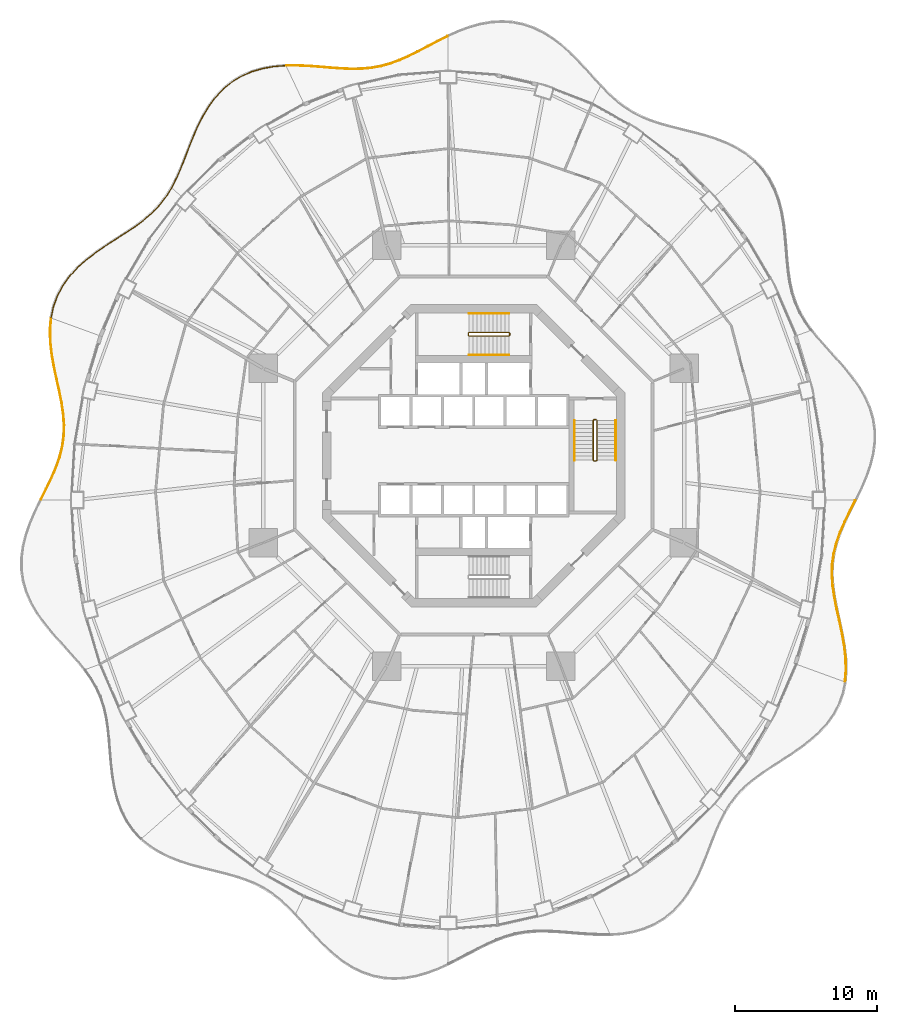
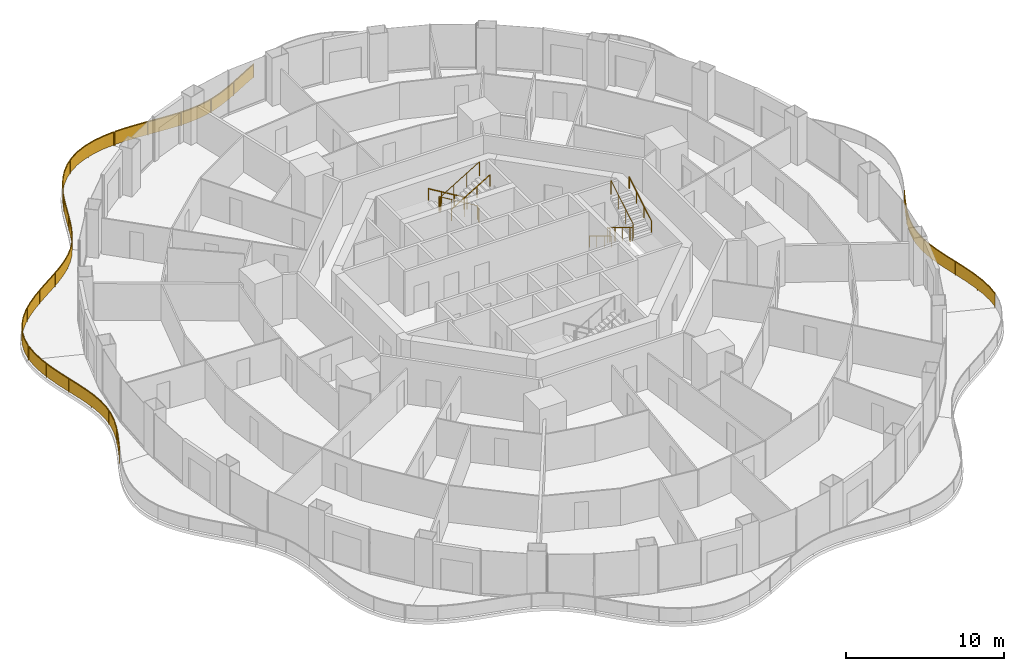
# One storey, part 19 of 20: 11 railings.
"""IFC4 building model written with IfcOpenShell, lengths in metres."""

from ifc_helpers import new_model, si_unit, direction, frame, origin, origin_2d, place, context, subcontext, project, spatial, polyline, rectangle, circle, outline, extrude, material, type_object, element, save


model = new_model("IFC4")

# Units and contexts
model_context = context("Model", 3, precision=1e-05, world=origin(), true_north=direction((0.0, 1.0)))
body_context = subcontext(model_context, "Body", "Model", "MODEL_VIEW")
ifc_project = project(units=[si_unit("LENGTHUNIT", "METRE"), si_unit("AREAUNIT", "SQUARE_METRE"), si_unit("VOLUMEUNIT", "CUBIC_METRE"), si_unit("PLANEANGLEUNIT", "RADIAN"), si_unit("MASSUNIT", "GRAM", prefix="KILO")], contexts=[model_context])

# Site, building, storey
site_placement = place(None, origin())
site = spatial("IfcSite", under=ifc_project, at=site_placement, CompositionType="ELEMENT")
building_placement = place(site_placement, origin())
building = spatial("IfcBuilding", under=site, at=building_placement, Name="Nagisa Residences", CompositionType="ELEMENT")
storey_placement = place(building_placement, frame((0.0, 0.0, 141.800048828125)))
storey = spatial("IfcBuildingStorey", under=building, at=storey_placement, Name="L35", CompositionType="ELEMENT", Elevation=141.800048828125)

# Railings
ifc_material_1 = material(Name="Stainless steel 316", Category="steel")
railing_type_1 = type_object("IfcRailingType", Name="BALCONY GUARD 1100", PredefinedType="BALUSTRADE", material=ifc_material_1)
railing_1_placement = place(storey_placement, frame((-1.833984375, 29.4462890625, 0.0)))
element("IfcRailing", 1, at=railing_1_placement, inside=storey, type_object=railing_type_1, Name="guard:L35:bal04-0", PredefinedType="BALUSTRADE", context=body_context, shape_type="SweptSolid", body=[
    extrude(outline(polyline([(-0.662353515625, -0.35986328125), (0.01123046875, -0.0224609375), (-0.01123046875, 0.0224609375), (-0.685302734375, -0.3154296875), (-1.3828125, -0.680908203125), (-2.06201171875, -1.037353515625), (-2.72705078125, -1.367431640625), (-3.382568359375, -1.6572265625), (-4.017578125, -1.8935546875), (-4.673828125, -2.0751953125), (-5.3408203125, -2.197021484375), (-6.0244140625, -2.26171875), (-6.728759765625, -2.275390625), (-7.439697265625, -2.243896484375), (-8.191650390625, -2.1904296875), (-8.965087890625, -2.125732421875), (-9.755615234375, -2.067138671875), (-10.55615234375, -2.0322265625), (-11.31103515625, -2.03515625), (-11.31103515625, -2.0849609375), (-10.55712890625, -2.08251953125), (-9.758544921875, -2.116943359375), (-8.968994140625, -2.175537109375), (-8.195556640625, -2.240234375), (-7.442626953125, -2.293701171875), (-6.729248046875, -2.32568359375), (-6.021484375, -2.3115234375), (-5.333984375, -2.246826171875), (-4.66259765625, -2.1240234375), (-4.001953125, -1.94140625), (-3.363525390625, -1.70361328125), (-2.70556640625, -1.412841796875), (-2.0390625, -1.081787109375), (-1.359375, -0.725341796875), (-0.662353515625, -0.35986328125)])), frame((0.0, 0.0, 1.050048828125)), (0.0, 0.0, 1.0), 0.050048828125),
    extrude(outline(polyline([(-0.670654296875, -0.343994140625), (0.003173828125, -0.00634765625), (-0.003173828125, 0.00634765625), (-0.677001953125, -0.331298828125), (-1.374267578125, -0.697021484375), (-2.0537109375, -1.05322265625), (-2.71923828125, -1.3837890625), (-3.375732421875, -1.673828125), (-4.011962890625, -1.910888671875), (-4.669677734375, -2.0927734375), (-5.33837890625, -2.215087890625), (-6.0234375, -2.279541015625), (-6.72900390625, -2.29345703125), (-7.440673828125, -2.26171875), (-8.193115234375, -2.208251953125), (-8.966552734375, -2.1435546875), (-9.756591796875, -2.0849609375), (-10.556396484375, -2.05029296875), (-11.31103515625, -2.052978515625), (-11.31103515625, -2.067138671875), (-10.556884765625, -2.064453125), (-9.757568359375, -2.09912109375), (-8.967529296875, -2.15771484375), (-8.194091796875, -2.222412109375), (-7.441650390625, -2.27587890625), (-6.72900390625, -2.3076171875), (-6.0224609375, -2.293701171875), (-5.33642578125, -2.228759765625), (-4.666748046875, -2.1064453125), (-4.007568359375, -1.924072265625), (-3.370361328125, -1.68701171875), (-2.71337890625, -1.396484375), (-2.04736328125, -1.06591796875), (-1.367919921875, -0.709228515625), (-0.670654296875, -0.343994140625)])), frame((0.0, 0.0, 0.06005859375)), (0.0, 0.0, 1.0), 0.989990234375),
    extrude(rectangle(XDim=0.0400390625, YDim=0.0400390625, at=origin_2d()), origin(), (0.0, 0.0, 1.0), 1.050048828125),
    extrude(rectangle(XDim=0.0400390625, YDim=0.0400390625, at=origin_2d()), frame((-2.096435546875, -1.082275390625, 0.0)), (0.0, 0.0, 1.0), 1.050048828125),
    extrude(rectangle(XDim=0.0400390625, YDim=0.0400390625, at=origin_2d()), frame((-4.27001953125, -1.989501953125, 0.0)), (0.0, 0.0, 1.0), 1.050048828125),
    extrude(rectangle(XDim=0.0400390625, YDim=0.0400390625, at=origin_2d()), frame((-6.600341796875, -2.298095703125, 0.0)), (0.0, 0.0, 1.0), 1.050048828125),
    extrude(rectangle(XDim=0.0400390625, YDim=0.0400390625, at=origin_2d()), frame((-8.95458984375, -2.151611328125, 0.0)), (0.0, 0.0, 1.0), 1.050048828125),
    extrude(rectangle(XDim=0.0400390625, YDim=0.0400390625, at=origin_2d()), frame((-11.31103515625, -2.06005859375, 0.0)), (0.0, 0.0, 1.0), 1.050048828125),
])
railing_2_placement = place(storey_placement, frame((-13.22216796875, 27.384033203125, 0.0)))
element("IfcRailing", 2, at=railing_2_placement, inside=storey, type_object=railing_type_1, Name="guard:L35:bal05-0", PredefinedType="BALUSTRADE", context=body_context, shape_type="SweptSolid", body=[
    extrude(outline(polyline([(-0.772216796875, -0.08349609375), (0.001953125, -0.02490234375), (-0.001953125, 0.02490234375), (-0.778564453125, -0.03369140625), (-1.5810546875, -0.173095703125), (-2.350830078125, -0.396484375), (-3.07666015625, -0.710693359375), (-3.74755859375, -1.114990234375), (-4.3486328125, -1.600341796875), (-4.897705078125, -2.174072265625), (-5.3837890625, -2.81689453125), (-5.809814453125, -3.51416015625), (-6.18359375, -4.25), (-6.5029296875, -4.996337890625), (-6.804931640625, -5.7578125), (-7.09228515625, -6.508544921875), (-7.380615234375, -7.234375), (-7.684326171875, -7.92529296875), (-7.997314453125, -8.536376953125), (-7.952880859375, -8.559326171875), (-7.638916015625, -7.94677734375), (-7.334228515625, -7.25390625), (-7.0458984375, -6.526611328125), (-6.758056640625, -5.77587890625), (-6.45654296875, -5.015380859375), (-6.13818359375, -4.27099609375), (-5.765869140625, -3.53857421875), (-5.34228515625, -2.84521484375), (-4.859619140625, -2.206787109375), (-4.314453125, -1.637451171875), (-3.71875, -1.156005859375), (-3.0537109375, -0.755126953125), (-2.333740234375, -0.44384765625), (-1.56982421875, -0.221923828125), (-0.772216796875, -0.08349609375)])), frame((0.0, 0.0, 1.050048828125)), (0.0, 0.0, 1.0), 0.050048828125),
    extrude(outline(polyline([(-0.7744140625, -0.0654296875), (0.00048828125, -0.007080078125), (-0.00048828125, 0.007080078125), (-0.7763671875, -0.0517578125), (-1.576904296875, -0.190673828125), (-2.3447265625, -0.41357421875), (-3.068359375, -0.7265625), (-3.737060546875, -1.129638671875), (-4.336181640625, -1.61376953125), (-4.884033203125, -2.185791015625), (-5.368896484375, -2.8271484375), (-5.7939453125, -3.52294921875), (-6.167236328125, -4.257568359375), (-6.486328125, -5.003173828125), (-6.7880859375, -5.764404296875), (-7.07568359375, -6.51513671875), (-7.36376953125, -7.241455078125), (-7.66796875, -7.93310546875), (-7.9814453125, -8.544677734375), (-7.96875, -8.551025390625), (-7.6552734375, -7.93896484375), (-7.35107421875, -7.246826171875), (-7.0625, -6.52001953125), (-6.77490234375, -5.769287109375), (-6.47314453125, -5.008544921875), (-6.154541015625, -4.263427734375), (-5.78173828125, -3.52978515625), (-5.357177734375, -2.8349609375), (-4.873291015625, -2.195068359375), (-4.326904296875, -1.6240234375), (-3.729248046875, -1.141357421875), (-3.06201171875, -0.7392578125), (-2.33984375, -0.4267578125), (-1.573974609375, -0.204345703125), (-0.7744140625, -0.0654296875)])), frame((0.0, 0.0, 0.06005859375)), (0.0, 0.0, 1.0), 0.989990234375),
    extrude(rectangle(XDim=0.0400390625, YDim=0.0400390625, at=origin_2d()), origin(), (0.0, 0.0, 1.0), 1.050048828125),
    extrude(rectangle(XDim=0.0400390625, YDim=0.0400390625, at=origin_2d()), frame((-2.068115234375, -0.340576171875, 0.0)), (0.0, 0.0, 1.0), 1.050048828125),
    extrude(rectangle(XDim=0.0400390625, YDim=0.0400390625, at=origin_2d()), frame((-3.92724609375, -1.292236328125, 0.0)), (0.0, 0.0, 1.0), 1.050048828125),
    extrude(rectangle(XDim=0.0400390625, YDim=0.0400390625, at=origin_2d()), frame((-5.356201171875, -2.822021484375, 0.0)), (0.0, 0.0, 1.0), 1.050048828125),
    extrude(rectangle(XDim=0.0400390625, YDim=0.0400390625, at=origin_2d()), frame((-6.339111328125, -4.677001953125, 0.0)), (0.0, 0.0, 1.0), 1.050048828125),
    extrude(rectangle(XDim=0.0400390625, YDim=0.0400390625, at=origin_2d()), frame((-7.1142578125, -6.63134765625, 0.0)), (0.0, 0.0, 1.0), 1.050048828125),
    extrude(rectangle(XDim=0.0400390625, YDim=0.0400390625, at=origin_2d()), frame((-7.97509765625, -8.5478515625, 0.0)), (0.0, 0.0, 1.0), 1.050048828125),
])
railing_3_placement = place(storey_placement, frame((-21.23046875, 18.77392578125, 0.0)))
element("IfcRailing", 3, at=railing_3_placement, inside=storey, type_object=railing_type_1, Name="guard:L35:bal06-0", PredefinedType="BALUSTRADE", context=body_context, shape_type="SweptSolid", body=[
    extrude(outline(polyline([(-0.3515625, -0.610595703125), (0.021240234375, -0.01318359375), (-0.021240234375, 0.01318359375), (-0.392578125, -0.581787109375), (-0.84130859375, -1.161376953125), (-1.349853515625, -1.695068359375), (-1.919189453125, -2.190185546875), (-2.5439453125, -2.657958984375), (-3.2060546875, -3.098388671875), (-3.90771484375, -3.550048828125), (-4.622314453125, -4.013671875), (-5.3291015625, -4.501708984375), (-6.0068359375, -5.025146484375), (-6.628173828125, -5.57861328125), (-7.1865234375, -6.193115234375), (-7.658935546875, -6.85693359375), (-8.034423828125, -7.569091796875), (-8.30615234375, -8.324462890625), (-8.462646484375, -9.06982421875), (-8.413818359375, -9.080078125), (-8.2578125, -8.338134765625), (-7.988525390625, -7.589111328125), (-7.616455078125, -6.88330078125), (-7.1474609375, -6.224365234375), (-6.593017578125, -5.6142578125), (-5.97509765625, -5.063720703125), (-5.2998046875, -4.542236328125), (-4.594482421875, -4.05517578125), (-3.88037109375, -3.592041015625), (-3.1787109375, -3.140380859375), (-2.51513671875, -2.698974609375), (-1.887939453125, -2.229248046875), (-1.315185546875, -1.731201171875), (-0.80322265625, -1.194091796875), (-0.3515625, -0.610595703125)])), frame((0.0, 0.0, 1.050048828125)), (0.0, 0.0, 1.0), 0.050048828125),
    extrude(outline(polyline([(-0.3662109375, -0.60009765625), (0.005859375, -0.003662109375), (-0.005859375, 0.003662109375), (-0.3779296875, -0.59228515625), (-0.82763671875, -1.173095703125), (-1.33740234375, -1.7080078125), (-1.907958984375, -2.204345703125), (-2.53369140625, -2.6728515625), (-3.1962890625, -3.113525390625), (-3.89794921875, -3.565185546875), (-4.6123046875, -4.028564453125), (-5.318603515625, -4.516357421875), (-5.995361328125, -5.0390625), (-6.615478515625, -5.591552734375), (-7.17236328125, -6.204345703125), (-7.6435546875, -6.866455078125), (-8.017822265625, -7.576171875), (-8.288818359375, -8.329345703125), (-8.445068359375, -9.073486328125), (-8.431396484375, -9.076416015625), (-8.275146484375, -8.333251953125), (-8.005126953125, -7.58203125), (-7.6318359375, -6.873779296875), (-7.16162109375, -6.213134765625), (-6.605712890625, -5.601318359375), (-5.986572265625, -5.0498046875), (-5.310302734375, -4.527587890625), (-4.6044921875, -4.040283203125), (-3.89013671875, -3.576904296875), (-3.1884765625, -3.125244140625), (-2.525390625, -2.68408203125), (-1.899169921875, -2.215087890625), (-1.32763671875, -1.71826171875), (-0.81689453125, -1.182373046875), (-0.3662109375, -0.60009765625)])), frame((0.0, 0.0, 0.06005859375)), (0.0, 0.0, 1.0), 0.989990234375),
    extrude(rectangle(XDim=0.0400390625, YDim=0.0400390625, at=origin_2d()), origin(), (0.0, 0.0, 1.0), 1.050048828125),
    extrude(rectangle(XDim=0.0400390625, YDim=0.0400390625, at=origin_2d()), frame((-1.295166015625, -1.673828125, 0.0)), (0.0, 0.0, 1.0), 1.050048828125),
    extrude(rectangle(XDim=0.0400390625, YDim=0.0400390625, at=origin_2d()), frame((-2.97119140625, -2.97216796875, 0.0)), (0.0, 0.0, 1.0), 1.050048828125),
    extrude(rectangle(XDim=0.0400390625, YDim=0.0400390625, at=origin_2d()), frame((-4.749755859375, -4.132080078125, 0.0)), (0.0, 0.0, 1.0), 1.050048828125),
    extrude(rectangle(XDim=0.0400390625, YDim=0.0400390625, at=origin_2d()), frame((-6.426025390625, -5.431884765625, 0.0)), (0.0, 0.0, 1.0), 1.050048828125),
    extrude(rectangle(XDim=0.0400390625, YDim=0.0400390625, at=origin_2d()), frame((-7.748291015625, -7.079833984375, 0.0)), (0.0, 0.0, 1.0), 1.050048828125),
    extrude(rectangle(XDim=0.0400390625, YDim=0.0400390625, at=origin_2d()), frame((-8.438232421875, -9.074951171875, 0.0)), (0.0, 0.0, 1.0), 1.050048828125),
])
railing_4_placement = place(storey_placement, frame((-29.67919921875, 9.622314453125, 0.0)))
element("IfcRailing", 4, at=railing_4_placement, inside=storey, type_object=railing_type_1, Name="guard:L35:bal07-0", PredefinedType="BALUSTRADE", context=body_context, shape_type="SweptSolid", body=[
    extrude(outline(polyline([(-0.03857421875, -0.7978515625), (0.02490234375, -0.001953125), (-0.02490234375, 0.001953125), (-0.0888671875, -0.79638671875), (-0.064453125, -1.660400390625), (0.035400390625, -2.5322265625), (0.1884765625, -3.401611328125), (0.37060546875, -4.26025390625), (0.55859375, -5.087890625), (0.72119140625, -5.90771484375), (0.839111328125, -6.705322265625), (0.893798828125, -7.481201171875), (0.872802734375, -8.2392578125), (0.7705078125, -8.971435546875), (0.584716796875, -9.711181640625), (0.323486328125, -10.4521484375), (0.00048828125, -11.199951171875), (-0.36572265625, -11.960205078125), (-0.733642578125, -12.69482421875), (-0.688720703125, -12.71728515625), (-0.32080078125, -11.982177734375), (0.0458984375, -11.220947265625), (0.369873046875, -10.47021484375), (0.632568359375, -9.725830078125), (0.81982421875, -8.981201171875), (0.922607421875, -8.24365234375), (0.944091796875, -7.480224609375), (0.888916015625, -6.699951171875), (0.7705078125, -5.8994140625), (0.607421875, -5.07763671875), (0.41943359375, -4.24951171875), (0.23779296875, -3.391845703125), (0.084716796875, -2.52490234375), (-0.0146484375, -1.656982421875), (-0.03857421875, -0.7978515625)])), frame((0.0, 0.0, 1.050048828125)), (0.0, 0.0, 1.0), 0.050048828125),
    extrude(outline(polyline([(-0.056640625, -0.79736328125), (0.007080078125, -0.00048828125), (-0.007080078125, 0.00048828125), (-0.07080078125, -0.796875), (-0.046630859375, -1.6591796875), (0.05322265625, -2.529541015625), (0.206298828125, -3.39794921875), (0.38818359375, -4.25634765625), (0.576171875, -5.084228515625), (0.739013671875, -5.90478515625), (0.85693359375, -6.703369140625), (0.911865234375, -7.48095703125), (0.890625, -8.240966796875), (0.788330078125, -8.97509765625), (0.60205078125, -9.716552734375), (0.340087890625, -10.458740234375), (0.016845703125, -11.20751953125), (-0.349609375, -11.968017578125), (-0.717529296875, -12.702880859375), (-0.704833984375, -12.709228515625), (-0.3369140625, -11.974365234375), (0.029541015625, -11.21337890625), (0.353271484375, -10.463623046875), (0.615234375, -9.720458984375), (0.802001953125, -8.9775390625), (0.90478515625, -8.241943359375), (0.926025390625, -7.48046875), (0.87109375, -6.701904296875), (0.752685546875, -5.90234375), (0.58984375, -5.081298828125), (0.40185546875, -4.25341796875), (0.219970703125, -3.3955078125), (0.06689453125, -2.527587890625), (-0.032470703125, -1.658203125), (-0.056640625, -0.79736328125)])), frame((0.0, 0.0, 0.06005859375)), (0.0, 0.0, 1.0), 0.989990234375),
    extrude(rectangle(XDim=0.0400390625, YDim=0.0400390625, at=origin_2d()), origin(), (0.0, 0.0, 1.0), 1.050048828125),
    extrude(rectangle(XDim=0.0400390625, YDim=0.0400390625, at=origin_2d()), frame((0.02001953125, -2.17822265625, 0.0)), (0.0, 0.0, 1.0), 1.050048828125),
    extrude(rectangle(XDim=0.0400390625, YDim=0.0400390625, at=origin_2d()), frame((0.4111328125, -4.326416015625, 0.0)), (0.0, 0.0, 1.0), 1.050048828125),
    extrude(rectangle(XDim=0.0400390625, YDim=0.0400390625, at=origin_2d()), frame((0.82958984375, -6.469482421875, 0.0)), (0.0, 0.0, 1.0), 1.050048828125),
    extrude(rectangle(XDim=0.0400390625, YDim=0.0400390625, at=origin_2d()), frame((0.84130859375, -8.6455078125, 0.0)), (0.0, 0.0, 1.0), 1.050048828125),
    extrude(rectangle(XDim=0.0400390625, YDim=0.0400390625, at=origin_2d()), frame((0.228759765625, -10.734619140625, 0.0)), (0.0, 0.0, 1.0), 1.050048828125),
    extrude(rectangle(XDim=0.0400390625, YDim=0.0400390625, at=origin_2d()), frame((-0.711181640625, -12.7060546875, 0.0)), (0.0, 0.0, 1.0), 1.050048828125),
])
railing_5_placement = place(storey_placement, frame((26.079345703125, -15.857666015625, 0.0)))
element("IfcRailing", 5, at=railing_5_placement, inside=storey, type_object=railing_type_1, Name="guard:L35:bal15-0", PredefinedType="BALUSTRADE", context=body_context, shape_type="SweptSolid", body=[
    extrude(outline(polyline([(0.038330078125, 0.7978515625), (-0.02490234375, 0.001953125), (0.02490234375, -0.001953125), (0.088623046875, 0.79638671875), (0.064208984375, 1.66015625), (-0.03564453125, 2.531982421875), (-0.188720703125, 3.401611328125), (-0.370849609375, 4.26025390625), (-0.558837890625, 5.087890625), (-0.721435546875, 5.90771484375), (-0.83935546875, 6.705322265625), (-0.89404296875, 7.481201171875), (-0.873046875, 8.2392578125), (-0.770751953125, 8.971435546875), (-0.5849609375, 9.711181640625), (-0.32373046875, 10.4521484375), (-0.00048828125, 11.199951171875), (0.36572265625, 11.960205078125), (0.733642578125, 12.69482421875), (0.688720703125, 12.71728515625), (0.32080078125, 11.982177734375), (-0.0458984375, 11.220947265625), (-0.3701171875, 10.47021484375), (-0.6328125, 9.725830078125), (-0.820068359375, 8.981201171875), (-0.9228515625, 8.24365234375), (-0.9443359375, 7.480224609375), (-0.88916015625, 6.699951171875), (-0.770751953125, 5.8994140625), (-0.607666015625, 5.07763671875), (-0.419677734375, 4.24951171875), (-0.238037109375, 3.391845703125), (-0.0849609375, 2.524658203125), (0.014404296875, 1.65673828125), (0.038330078125, 0.7978515625)])), frame((0.0, 0.0, 1.050048828125)), (0.0, 0.0, 1.0), 0.050048828125),
    extrude(outline(polyline([(0.056396484375, 0.79736328125), (-0.007080078125, 0.00048828125), (0.007080078125, -0.00048828125), (0.070556640625, 0.796875), (0.04638671875, 1.658935546875), (-0.053466796875, 2.529296875), (-0.20654296875, 3.39794921875), (-0.388427734375, 4.25634765625), (-0.576416015625, 5.084228515625), (-0.7392578125, 5.90478515625), (-0.857177734375, 6.703369140625), (-0.912109375, 7.48095703125), (-0.890869140625, 8.240966796875), (-0.78857421875, 8.97509765625), (-0.602294921875, 9.716552734375), (-0.34033203125, 10.458740234375), (-0.016845703125, 11.20751953125), (0.349609375, 11.968017578125), (0.717529296875, 12.702880859375), (0.704833984375, 12.709228515625), (0.3369140625, 11.974365234375), (-0.029541015625, 11.21337890625), (-0.353515625, 10.463623046875), (-0.615478515625, 9.720458984375), (-0.80224609375, 8.9775390625), (-0.905029296875, 8.241943359375), (-0.92626953125, 7.48046875), (-0.871337890625, 6.701904296875), (-0.7529296875, 5.90234375), (-0.590087890625, 5.081298828125), (-0.402099609375, 4.25341796875), (-0.22021484375, 3.3955078125), (-0.067138671875, 2.52734375), (0.0322265625, 1.657958984375), (0.056396484375, 0.79736328125)])), frame((0.0, 0.0, 0.06005859375)), (0.0, 0.0, 1.0), 0.989990234375),
    extrude(rectangle(XDim=0.0400390625, YDim=0.0400390625, at=origin_2d()), origin(), (0.0, 0.0, 1.0), 1.050048828125),
    extrude(rectangle(XDim=0.0400390625, YDim=0.0400390625, at=origin_2d()), frame((-0.020263671875, 2.178466796875, 0.0)), (0.0, 0.0, 1.0), 1.050048828125),
    extrude(rectangle(XDim=0.0400390625, YDim=0.0400390625, at=origin_2d()), frame((-0.41162109375, 4.326416015625, 0.0)), (0.0, 0.0, 1.0), 1.050048828125),
    extrude(rectangle(XDim=0.0400390625, YDim=0.0400390625, at=origin_2d()), frame((-0.829833984375, 6.469482421875, 0.0)), (0.0, 0.0, 1.0), 1.050048828125),
    extrude(rectangle(XDim=0.0400390625, YDim=0.0400390625, at=origin_2d()), frame((-0.841552734375, 8.6455078125, 0.0)), (0.0, 0.0, 1.0), 1.050048828125),
    extrude(rectangle(XDim=0.0400390625, YDim=0.0400390625, at=origin_2d()), frame((-0.228759765625, 10.734619140625, 0.0)), (0.0, 0.0, 1.0), 1.050048828125),
    extrude(rectangle(XDim=0.0400390625, YDim=0.0400390625, at=origin_2d()), frame((0.711181640625, 12.7060546875, 0.0)), (0.0, 0.0, 1.0), 1.050048828125),
])
ifc_material_2 = material(Name="Stainless steel", Category="steel")
railing_type_2 = type_object("IfcRailingType", Name="Stair guard 1100", PredefinedType="GUARDRAIL", material=ifc_material_2)
railing_6_placement = place(storey_placement, frame((8.599609375, 2.52490234375, 0.0)))
element("IfcRailing", 6, at=railing_6_placement, inside=storey, type_object=railing_type_2, Name="L35 ST-E stair guard 1", PredefinedType="GUARDRAIL", context=body_context, shape_type="SweptSolid", body=[
    extrude(circle(Radius=0.02392578125, at=origin_2d()), frame((0.0, 0.0, 1.076171875), z_axis=(-1.0, 0.0, 0.0), x_axis=(0.0, -1.0, 0.0)), (0.0, 0.0, 1.0), 0.14990234375),
    extrude(circle(Radius=0.02392578125, at=origin_2d()), frame((-0.14990234375, 0.0, 1.076171875), z_axis=(-0.27434429532, -0.273006030465, 0.922064485248), x_axis=(0.705375805398, -0.708833529934, 0.0)), (0.0, 0.0, 1.0), 0.182373046875),
    extrude(circle(Radius=0.02392578125, at=origin_2d()), frame((-0.199951171875, -0.0498046875, 1.244140625), z_axis=(0.0, -0.857275202839, 0.514858452973), x_axis=(1.0, 0.0, 0.0)), (0.0, 0.0, 1.0), 3.26611328125),
    extrude(circle(Radius=0.02392578125, at=origin_2d()), frame((-0.199951171875, -2.849853515625, 2.92578125), z_axis=(0.707106781187, -0.707106781187, 0.0), x_axis=(0.707106781187, 0.707106781187, 0.0)), (0.0, 0.0, 1.0), 0.07080078125),
    extrude(circle(Radius=0.02392578125, at=origin_2d()), frame((-0.14990234375, -2.89990234375, 2.92578125), z_axis=(1.0, 0.0, 0.0), x_axis=(0.0, 1.0, 0.0)), (0.0, 0.0, 1.0), 0.14990234375),
    extrude(circle(Radius=0.02392578125, at=origin_2d()), frame((0.0, -2.89990234375, 2.92578125), z_axis=(0.274243871929, 0.274243871929, 0.92172696468), x_axis=(-0.707106781187, 0.707106781187, 0.0)), (0.0, 0.0, 1.0), 0.1826171875),
    extrude(circle(Radius=0.02392578125, at=origin_2d()), frame((0.050048828125, -2.849853515625, 3.09423828125), z_axis=(0.0, 0.857242210791, 0.514913383045), x_axis=(-1.0, 0.0, 0.0)), (0.0, 0.0, 1.0), 3.266357421875),
    extrude(circle(Radius=0.02099609375, at=origin_2d()), origin(), (0.0, 0.0, 1.0), 1.052001953125),
    extrude(circle(Radius=0.02099609375, at=origin_2d()), frame((-0.14990234375, 0.0, 0.0)), (0.0, 0.0, 1.0), 1.052001953125),
    extrude(circle(Radius=0.02099609375, at=origin_2d()), frame((-0.199951171875, -0.0498046875, 0.168212890625)), (0.0, 0.0, 1.0), 1.052001953125),
    extrude(circle(Radius=0.02099609375, at=origin_2d()), frame((-0.199951171875, -0.983154296875, 0.728759765625)), (0.0, 0.0, 1.0), 1.052001953125),
    extrude(circle(Radius=0.02099609375, at=origin_2d()), frame((-0.199951171875, -1.91650390625, 1.289306640625)), (0.0, 0.0, 1.0), 1.052001953125),
    extrude(circle(Radius=0.02099609375, at=origin_2d()), frame((-0.199951171875, -2.849853515625, 1.849853515625)), (0.0, 0.0, 1.0), 1.052001953125),
    extrude(circle(Radius=0.02099609375, at=origin_2d()), frame((-0.14990234375, -2.89990234375, 1.849853515625)), (0.0, 0.0, 1.0), 1.052001953125),
    extrude(circle(Radius=0.02099609375, at=origin_2d()), frame((0.0, -2.89990234375, 1.849853515625)), (0.0, 0.0, 1.0), 1.052001953125),
    extrude(circle(Radius=0.02099609375, at=origin_2d()), frame((0.050048828125, -2.849853515625, 2.01806640625)), (0.0, 0.0, 1.0), 1.052001953125),
    extrude(circle(Radius=0.02099609375, at=origin_2d()), frame((0.050048828125, -1.91650390625, 2.57861328125)), (0.0, 0.0, 1.0), 1.052001953125),
    extrude(circle(Radius=0.02099609375, at=origin_2d()), frame((0.050048828125, -0.983154296875, 3.139404296875)), (0.0, 0.0, 1.0), 1.052001953125),
    extrude(circle(Radius=0.02099609375, at=origin_2d()), frame((0.050048828125, -0.0498046875, 3.699951171875)), (0.0, 0.0, 1.0), 1.052001953125),
])
railing_7_placement = place(storey_placement, frame((2.52490234375, 8.44970703125, 0.0)))
element("IfcRailing", 7, at=railing_7_placement, inside=storey, type_object=railing_type_2, Name="L35 ST-N stair guard 1", PredefinedType="GUARDRAIL", context=body_context, shape_type="SweptSolid", body=[
    extrude(circle(Radius=0.02392578125, at=origin_2d()), frame((0.0, 0.0, 1.076171875), z_axis=(0.0, 1.0, 0.0), x_axis=(-1.0, 0.0, 0.0)), (0.0, 0.0, 1.0), 0.14990234375),
    extrude(circle(Radius=0.02392578125, at=origin_2d()), frame((0.0, 0.14990234375, 1.076171875), z_axis=(-0.273006030465, 0.27434429532, 0.922064485248), x_axis=(-0.708833529934, -0.705375805398, 0.0)), (0.0, 0.0, 1.0), 0.182373046875),
    extrude(circle(Radius=0.02392578125, at=origin_2d()), frame((-0.0498046875, 0.199951171875, 1.244140625), z_axis=(-0.857275202839, 0.0, 0.514858452973), x_axis=(0.0, -1.0, 0.0)), (0.0, 0.0, 1.0), 3.26611328125),
    extrude(circle(Radius=0.02392578125, at=origin_2d()), frame((-2.849853515625, 0.199951171875, 2.92578125), z_axis=(-0.707106781187, -0.707106781187, 0.0), x_axis=(0.707106781187, -0.707106781187, 0.0)), (0.0, 0.0, 1.0), 0.07080078125),
    extrude(circle(Radius=0.02392578125, at=origin_2d()), frame((-2.89990234375, 0.14990234375, 2.92578125), z_axis=(0.0, -1.0, 0.0), x_axis=(1.0, 0.0, 0.0)), (0.0, 0.0, 1.0), 0.14990234375),
    extrude(circle(Radius=0.02392578125, at=origin_2d()), frame((-2.89990234375, 0.0, 2.92578125), z_axis=(0.274243871929, -0.274243871929, 0.92172696468), x_axis=(0.707106781187, 0.707106781187, 0.0)), (0.0, 0.0, 1.0), 0.1826171875),
    extrude(circle(Radius=0.02392578125, at=origin_2d()), frame((-2.849853515625, -0.050048828125, 3.09423828125), z_axis=(0.857242210791, 0.0, 0.514913383045), x_axis=(0.0, 1.0, 0.0)), (0.0, 0.0, 1.0), 3.266357421875),
    extrude(circle(Radius=0.02099609375, at=origin_2d()), origin(), (0.0, 0.0, 1.0), 1.052001953125),
    extrude(circle(Radius=0.02099609375, at=origin_2d()), frame((0.0, 0.14990234375, 0.0)), (0.0, 0.0, 1.0), 1.052001953125),
    extrude(circle(Radius=0.02099609375, at=origin_2d()), frame((-0.0498046875, 0.199951171875, 0.168212890625)), (0.0, 0.0, 1.0), 1.052001953125),
    extrude(circle(Radius=0.02099609375, at=origin_2d()), frame((-0.983154296875, 0.199951171875, 0.728759765625)), (0.0, 0.0, 1.0), 1.052001953125),
    extrude(circle(Radius=0.02099609375, at=origin_2d()), frame((-1.91650390625, 0.199951171875, 1.289306640625)), (0.0, 0.0, 1.0), 1.052001953125),
    extrude(circle(Radius=0.02099609375, at=origin_2d()), frame((-2.849853515625, 0.199951171875, 1.849853515625)), (0.0, 0.0, 1.0), 1.052001953125),
    extrude(circle(Radius=0.02099609375, at=origin_2d()), frame((-2.89990234375, 0.14990234375, 1.849853515625)), (0.0, 0.0, 1.0), 1.052001953125),
    extrude(circle(Radius=0.02099609375, at=origin_2d()), frame((-2.89990234375, 0.0, 1.849853515625)), (0.0, 0.0, 1.0), 1.052001953125),
    extrude(circle(Radius=0.02099609375, at=origin_2d()), frame((-2.849853515625, -0.050048828125, 2.01806640625)), (0.0, 0.0, 1.0), 1.052001953125),
    extrude(circle(Radius=0.02099609375, at=origin_2d()), frame((-1.91650390625, -0.050048828125, 2.57861328125)), (0.0, 0.0, 1.0), 1.052001953125),
    extrude(circle(Radius=0.02099609375, at=origin_2d()), frame((-0.983154296875, -0.050048828125, 3.139404296875)), (0.0, 0.0, 1.0), 1.052001953125),
    extrude(circle(Radius=0.02099609375, at=origin_2d()), frame((-0.0498046875, -0.050048828125, 3.699951171875)), (0.0, 0.0, 1.0), 1.052001953125),
])
ifc_material_3 = material(Name="Stainless steel", Category="steel")
railing_type_3 = type_object("IfcRailingType", Name="Stair handrail 900", PredefinedType="HANDRAIL", material=ifc_material_3)
railing_8_placement = place(storey_placement, frame((7.07470703125, 2.47509765625, 0.168212890625)))
element("IfcRailing", 8, at=railing_8_placement, inside=storey, type_object=railing_type_3, Name="L35 ST-E stair handrail 1", PredefinedType="HANDRAIL", context=body_context, shape_type="SweptSolid", body=[
    extrude(circle(Radius=0.02392578125, at=origin_2d()), frame((0.0, 0.0, 0.8759765625), z_axis=(0.0, -0.857275202839, 0.514858452973), x_axis=(1.0, 0.0, 0.0)), (0.0, 0.0, 1.0), 3.26611328125),
    extrude(circle(Radius=0.02099609375, at=origin_2d()), origin(), (0.0, 0.0, 1.0), 0.851806640625),
    extrude(circle(Radius=0.02099609375, at=origin_2d()), frame((0.0, -0.933349609375, 0.560546875)), (0.0, 0.0, 1.0), 0.851806640625),
    extrude(circle(Radius=0.02099609375, at=origin_2d()), frame((0.0, -1.86669921875, 1.12109375)), (0.0, 0.0, 1.0), 0.851806640625),
    extrude(circle(Radius=0.02099609375, at=origin_2d()), frame((0.0, -2.800048828125, 1.681640625)), (0.0, 0.0, 1.0), 0.851806640625),
])
railing_9_placement = place(storey_placement, frame((9.974609375, -0.324951171875, 2.01806640625)))
element("IfcRailing", 9, at=railing_9_placement, inside=storey, type_object=railing_type_3, Name="L35 ST-E stair handrail 2", PredefinedType="HANDRAIL", context=body_context, shape_type="SweptSolid", body=[
    extrude(circle(Radius=0.02392578125, at=origin_2d()), frame((0.0, 0.0, 0.8759765625), z_axis=(0.0, 0.857242210791, 0.514913383045), x_axis=(-1.0, 0.0, 0.0)), (0.0, 0.0, 1.0), 3.266357421875),
    extrude(circle(Radius=0.02099609375, at=origin_2d()), origin(), (0.0, 0.0, 1.0), 0.851806640625),
    extrude(circle(Radius=0.02099609375, at=origin_2d()), frame((0.0, 0.933349609375, 0.560546875)), (0.0, 0.0, 1.0), 0.851806640625),
    extrude(circle(Radius=0.02099609375, at=origin_2d()), frame((0.0, 1.86669921875, 1.121337890625)), (0.0, 0.0, 1.0), 0.851806640625),
    extrude(circle(Radius=0.02099609375, at=origin_2d()), frame((0.0, 2.800048828125, 1.681884765625)), (0.0, 0.0, 1.0), 0.851806640625),
])
railing_10_placement = place(storey_placement, frame((2.47509765625, 9.974609375, 0.168212890625)))
element("IfcRailing", 10, at=railing_10_placement, inside=storey, type_object=railing_type_3, Name="L35 ST-N stair handrail 1", PredefinedType="HANDRAIL", context=body_context, shape_type="SweptSolid", body=[
    extrude(circle(Radius=0.02392578125, at=origin_2d()), frame((0.0, 0.0, 0.8759765625), z_axis=(-0.857275202839, 0.0, 0.514858452973), x_axis=(0.0, -1.0, 0.0)), (0.0, 0.0, 1.0), 3.26611328125),
    extrude(circle(Radius=0.02099609375, at=origin_2d()), origin(), (0.0, 0.0, 1.0), 0.851806640625),
    extrude(circle(Radius=0.02099609375, at=origin_2d()), frame((-0.933349609375, 0.0, 0.560546875)), (0.0, 0.0, 1.0), 0.851806640625),
    extrude(circle(Radius=0.02099609375, at=origin_2d()), frame((-1.86669921875, 0.0, 1.12109375)), (0.0, 0.0, 1.0), 0.851806640625),
    extrude(circle(Radius=0.02099609375, at=origin_2d()), frame((-2.800048828125, 0.0, 1.681640625)), (0.0, 0.0, 1.0), 0.851806640625),
])
railing_11_placement = place(storey_placement, frame((-0.324951171875, 7.07470703125, 2.01806640625)))
element("IfcRailing", 11, at=railing_11_placement, inside=storey, type_object=railing_type_3, Name="L35 ST-N stair handrail 2", PredefinedType="HANDRAIL", context=body_context, shape_type="SweptSolid", body=[
    extrude(circle(Radius=0.02392578125, at=origin_2d()), frame((0.0, 0.0, 0.8759765625), z_axis=(0.857242210791, 0.0, 0.514913383045), x_axis=(0.0, 1.0, 0.0)), (0.0, 0.0, 1.0), 3.266357421875),
    extrude(circle(Radius=0.02099609375, at=origin_2d()), origin(), (0.0, 0.0, 1.0), 0.851806640625),
    extrude(circle(Radius=0.02099609375, at=origin_2d()), frame((0.933349609375, 0.0, 0.560546875)), (0.0, 0.0, 1.0), 0.851806640625),
    extrude(circle(Radius=0.02099609375, at=origin_2d()), frame((1.86669921875, 0.0, 1.121337890625)), (0.0, 0.0, 1.0), 0.851806640625),
    extrude(circle(Radius=0.02099609375, at=origin_2d()), frame((2.800048828125, 0.0, 1.681884765625)), (0.0, 0.0, 1.0), 0.851806640625),
])

save(model, "model.ifc")
